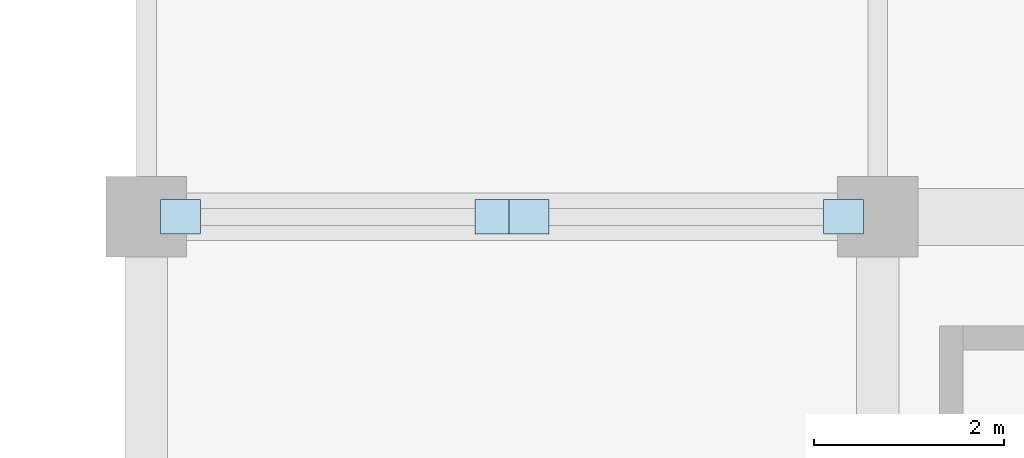
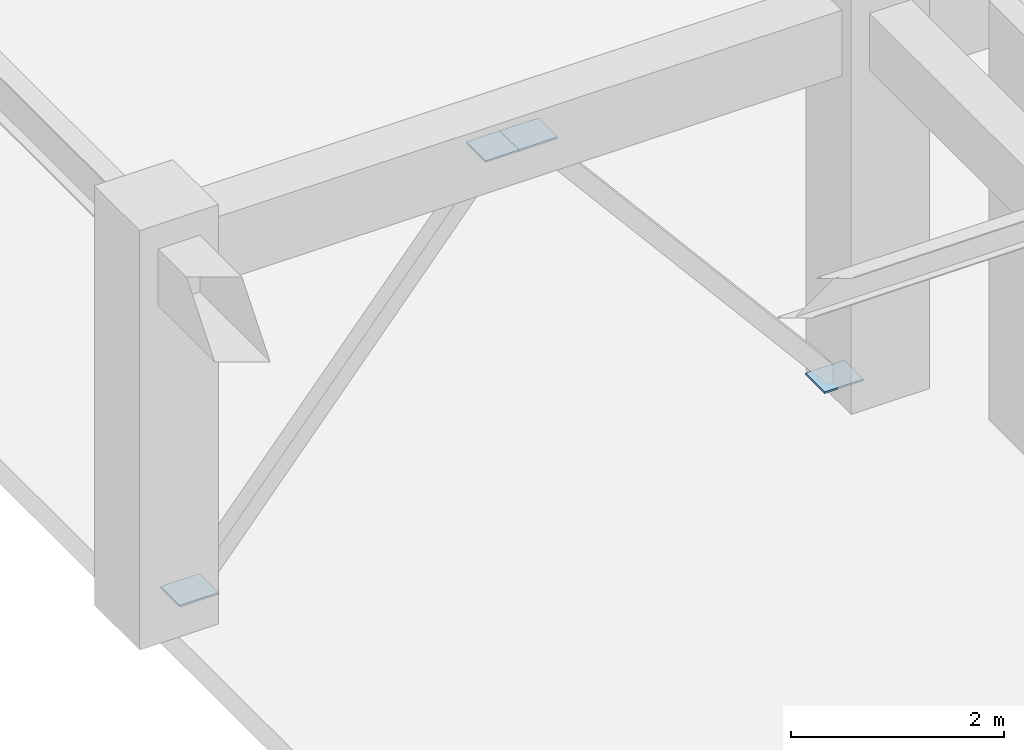
# One storey, part 91 of 122: 4 plates.
"""IFC4 building model written with IfcOpenShell, lengths in metres."""

from ifc_helpers import new_model, si_unit, direction, frame, origin, origin_2d, place, context, subcontext, project, spatial, rectangle, extrude, material, layer, layer_set, type_object, element, save


model = new_model("IFC4")

# Units and contexts
model_context = context("Model", 3, precision=1e-05, world=origin(), true_north=direction((0.0, 1.0)))
body_context = subcontext(model_context, "Body", "Model", "MODEL_VIEW")
ifc_project = project(units=[si_unit("LENGTHUNIT", "METRE"), si_unit("AREAUNIT", "SQUARE_METRE"), si_unit("VOLUMEUNIT", "CUBIC_METRE"), si_unit("PLANEANGLEUNIT", "RADIAN"), si_unit("MASSUNIT", "GRAM", prefix="KILO")], contexts=[model_context])

# Site, building, storey
site_placement = place(None, origin())
site = spatial("IfcSite", under=ifc_project, at=site_placement, CompositionType="ELEMENT")
building_placement = place(site_placement, origin())
building = spatial("IfcBuilding", under=site, at=building_placement, Name="Cuetzalor Civic Arena", CompositionType="ELEMENT")
storey_placement = place(building_placement, frame((0.0, 0.0, 16.199951171875)))
storey = spatial("IfcBuildingStorey", under=building, at=storey_placement, Name="L03", CompositionType="ELEMENT", Elevation=16.199951171875)

# Plates
ifc_material = material(Name="Steel S355", Category="steel")
ifc_layer = layer(ifc_material, 0.02001953125)
ifc_layer_set = layer_set([ifc_layer], Name="Steel S355")
plate_type = type_object("IfcPlateType", Name="TubeEndCapPlate_CP01", PredefinedType="SHEET", material=ifc_layer_set)
for number, where, z_axis, x_axis, name in (
    (1, (56.659912109375, 25.0, 0.14013671875), (0.0, 0.0, 1.0), (1.0, 0.0, 0.0), "Brace End Cap Plate 029-1"),
    (2, (59.969970703125, 25.0, 4.070068359375), (0.0, 0.0, 1.0), (1.0, 0.0, 0.0), "Brace End Cap Plate 029-2"),
    (3, (63.639892578125, 25.0, 0.14013671875), (0.0, 0.0, 1.0), (1.0, 0.0, 0.0), "Brace End Cap Plate 030-1"),
    (4, (60.330078125, 25.0, 4.070068359375), (0.0, 0.0, 1.0), (1.0, 0.0, 0.0), "Brace End Cap Plate 030-2"),
):
    element("IfcPlate", number, at=place(storey_placement, frame(where, z_axis=z_axis, x_axis=x_axis)), inside=storey, type_object=plate_type, Name=name, PredefinedType="SHEET", context=body_context, shape_type="SweptSolid", body=[
        extrude(rectangle(XDim=0.419921875, YDim=0.360107421875, at=origin_2d()), origin(), (0.0, 0.0, 1.0), 0.02001953125),
    ])

save(model, "model.ifc")
